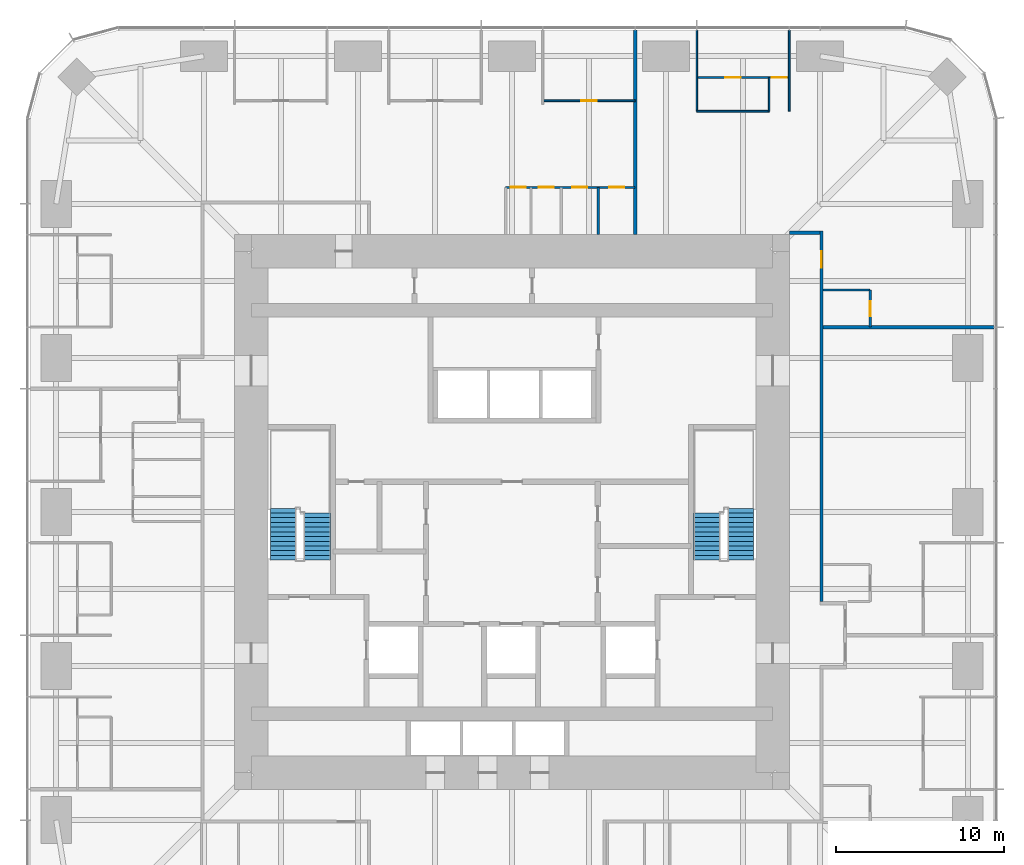
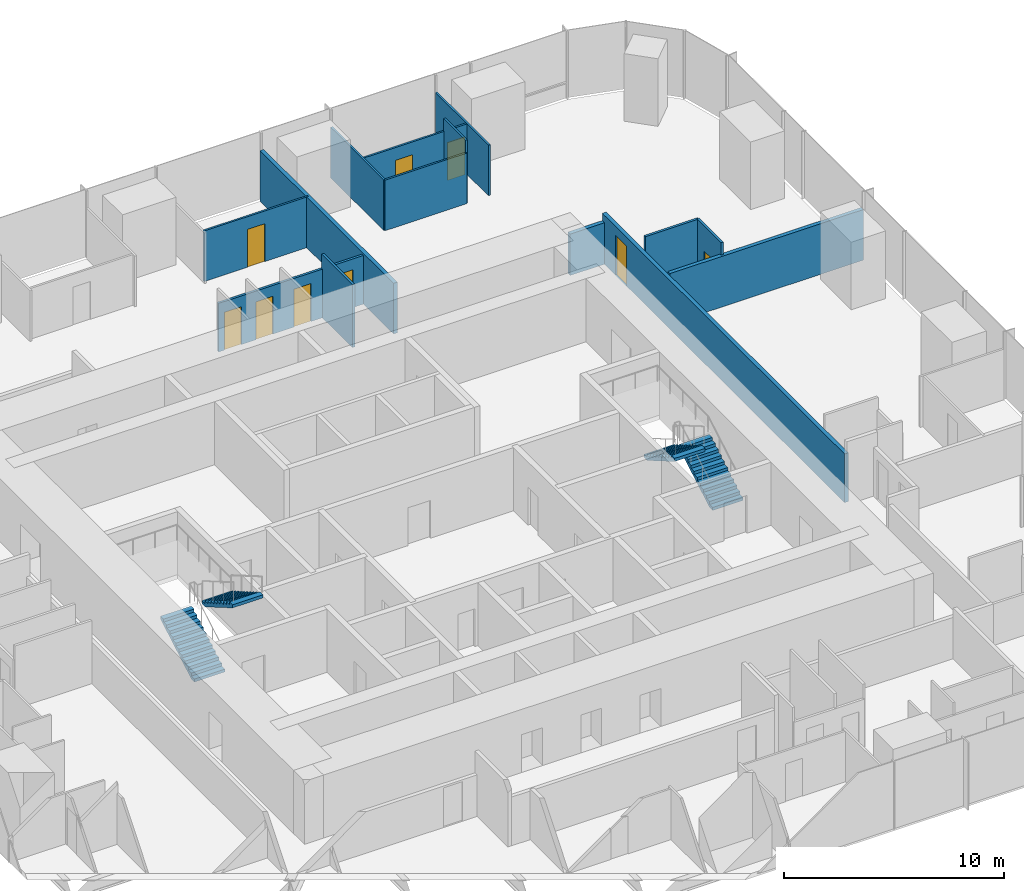
# One storey, part 12 of 13: 14 walls, 9 doors, 4 stair flights, 9 openings, 2 elements without a shape of their own.
"""IFC4 building model written with IfcOpenShell, lengths in metres."""

from ifc_helpers import new_model, si_unit, direction, frame, frame_2d, origin, place, context, subcontext, project, spatial, polyline, rectangle, outline, extrude, material, layer, layer_set, type_object, element, fill, aggregate, save


model = new_model("IFC4")

# Units and contexts
model_context = context("Model", 3, precision=1e-05, world=origin(), true_north=direction((0.0, 1.0)))
body_context = subcontext(model_context, "Body", "Model", "MODEL_VIEW")
ifc_project = project(units=[si_unit("LENGTHUNIT", "METRE"), si_unit("AREAUNIT", "SQUARE_METRE"), si_unit("VOLUMEUNIT", "CUBIC_METRE"), si_unit("PLANEANGLEUNIT", "RADIAN"), si_unit("MASSUNIT", "GRAM", prefix="KILO")], contexts=[model_context])

# Site, building, storey
site_placement = place(None, origin())
site = spatial("IfcSite", under=ifc_project, at=site_placement, CompositionType="ELEMENT")
building_placement = place(site_placement, origin())
building = spatial("IfcBuilding", under=site, at=building_placement, Name="Khuree Lantern Residences", CompositionType="ELEMENT")
storey_placement = place(building_placement, frame((0.0, 0.0, 148.5)))
storey = spatial("IfcBuildingStorey", under=building, at=storey_placement, Name="L37", CompositionType="ELEMENT", Elevation=148.5)

# Wall, opening, door
ifc_material_1 = material(Name="Moisture-resistant gypsum board on steel studs", Category="steel")
ifc_layer_1 = layer(ifc_material_1, 0.125)
ifc_layer_set_1 = layer_set([ifc_layer_1], Name="BATHROOM WALL BTW125")
wall_type_1 = type_object("IfcWallType", Name="BATHROOM WALL BTW125", PredefinedType="PARTITIONING", material=ifc_layer_set_1)
wall_1_placement = place(storey_placement, frame((21.300048828125, 10.991943359375, 0.0), z_axis=(0.0, 0.0, 1.0), x_axis=(0.0, 1.0, 0.0)))
wall_1 = element("IfcWall", 1, at=wall_1_placement, inside=storey, type_object=wall_type_1, Name="L37 BATHROOM WALL 02", PredefinedType="PARTITIONING", context=body_context, shape_type="SweptSolid", body=[
    extrude(rectangle(XDim=2.199951171875, YDim=0.125, at=frame_2d((1.10009765625, 0.0))), origin(), (0.0, 0.0, 1.0), 3.5),
])
opening_1_placement = place(wall_1_placement, frame((0.64990234375, 0.0, 0.0)))
opening_1 = element("IfcOpeningElement", 2, at=opening_1_placement, cuts=wall_1, Name="Opening 37-030", PredefinedType="OPENING", context=body_context, shape_type="SweptSolid", body=[
    extrude(rectangle(XDim=0.89990234375, YDim=2.10009765625, at=frame_2d((0.449951171875, 1.050048828125))), frame((0.0, 0.072509765625, 0.0), z_axis=(0.0, -1.0, 0.0), x_axis=(1.0, 0.0, 0.0)), (0.0, 0.0, 1.0), 0.14501953125),
])
ifc_material_2 = material(Name="Timber door leaf in hardwood frame", Category="wood")
door_type_1 = type_object("IfcDoorType", Name="BATHROOM DOOR 900X2100", OperationType="SINGLE_SWING_LEFT", PredefinedType="DOOR", material=ifc_material_2)
door_1_placement = place(opening_1_placement, origin())
door_1 = element("IfcDoor", 3, at=door_1_placement, inside=storey, type_object=door_type_1, Name="Bathroom door 37-030", OperationType="SINGLE_SWING_LEFT", OverallHeight=2.10009765625, OverallWidth=0.89990234375, PredefinedType="DOOR", context=body_context, shape_type="SweptSolid", body=[
    extrude(rectangle(XDim=0.89990234375, YDim=2.10009765625, at=frame_2d((0.449951171875, 1.050048828125))), frame((0.0, 0.02490234375, 0.0), z_axis=(0.0, -1.0, 0.0), x_axis=(1.0, 0.0, 0.0)), (0.0, 0.0, 1.0), 0.050048828125),
])
fill(opening_1, door_1)

# Wall
wall_2_placement = place(storey_placement, frame((18.5, 13.19189453125, 0.0), z_axis=(0.0, 0.0, 1.0), x_axis=(1.0, 0.0, 0.0)))
element("IfcWall", 4, at=wall_2_placement, inside=storey, type_object=wall_type_1, Name="L37 BATHROOM WALL 02", PredefinedType="PARTITIONING", context=body_context, shape_type="SweptSolid", body=[
    extrude(rectangle(XDim=2.800048828125, YDim=0.125, at=frame_2d((1.39990234375, 0.0))), origin(), (0.0, 0.0, 1.0), 3.5),
])

# Wall, openings, doors
wall_3_placement = place(storey_placement, frame((7.327880859375, 19.300048828125, 0.0), z_axis=(0.0, 0.0, 1.0), x_axis=(-1.0, 0.0, 0.0)))
wall_3 = element("IfcWall", 5, at=wall_3_placement, inside=storey, type_object=wall_type_1, Name="L37 BATHROOM WALL 03", PredefinedType="PARTITIONING", context=body_context, shape_type="SweptSolid", body=[
    extrude(rectangle(XDim=7.699951171875, YDim=0.125, at=frame_2d((3.85009765625, 0.0))), origin(), (0.0, 0.0, 1.0), 2.699951171875),
])
opening_2_placement = place(wall_3_placement, frame((0.64990234375, 0.0, 0.0)))
opening_2 = element("IfcOpeningElement", 6, at=opening_2_placement, cuts=wall_3, Name="Opening 37-037", PredefinedType="OPENING", context=body_context, shape_type="SweptSolid", body=[
    extrude(rectangle(XDim=0.89990234375, YDim=2.10009765625, at=frame_2d((0.449951171875, 1.050048828125))), frame((0.0, 0.072509765625, 0.0), z_axis=(0.0, -1.0, 0.0), x_axis=(1.0, 0.0, 0.0)), (0.0, 0.0, 1.0), 0.14501953125),
])
opening_3_placement = place(wall_3_placement, frame((2.85009765625, 0.0, 0.0)))
opening_3 = element("IfcOpeningElement", 7, at=opening_3_placement, cuts=wall_3, Name="Opening 37-038", PredefinedType="OPENING", context=body_context, shape_type="SweptSolid", body=[
    extrude(rectangle(XDim=0.89990234375, YDim=2.10009765625, at=frame_2d((0.449951171875, 1.050048828125))), frame((0.0, 0.072509765625, 0.0), z_axis=(0.0, -1.0, 0.0), x_axis=(1.0, 0.0, 0.0)), (0.0, 0.0, 1.0), 0.14501953125),
])
opening_4_placement = place(wall_3_placement, frame((4.85009765625, 0.0, 0.0)))
opening_4 = element("IfcOpeningElement", 8, at=opening_4_placement, cuts=wall_3, Name="Opening 37-039", PredefinedType="OPENING", context=body_context, shape_type="SweptSolid", body=[
    extrude(rectangle(XDim=0.89990234375, YDim=2.10009765625, at=frame_2d((0.449951171875, 1.050048828125))), frame((0.0, 0.072509765625, 0.0), z_axis=(0.0, -1.0, 0.0), x_axis=(1.0, 0.0, 0.0)), (0.0, 0.0, 1.0), 0.14501953125),
])
opening_5_placement = place(wall_3_placement, frame((6.5, 0.0, 0.0)))
opening_5 = element("IfcOpeningElement", 9, at=opening_5_placement, cuts=wall_3, Name="Opening 37-040", PredefinedType="OPENING", context=body_context, shape_type="SweptSolid", body=[
    extrude(rectangle(XDim=0.89990234375, YDim=2.10009765625, at=frame_2d((0.449951171875, 1.050048828125))), frame((0.0, 0.072509765625, 0.0), z_axis=(0.0, -1.0, 0.0), x_axis=(1.0, 0.0, 0.0)), (0.0, 0.0, 1.0), 0.14501953125),
])
door_2_placement = place(opening_2_placement, origin())
door_2 = element("IfcDoor", 10, at=door_2_placement, inside=storey, type_object=door_type_1, Name="Bathroom door 37-037", OperationType="SINGLE_SWING_LEFT", OverallHeight=2.10009765625, OverallWidth=0.89990234375, PredefinedType="DOOR", context=body_context, shape_type="SweptSolid", body=[
    extrude(rectangle(XDim=0.89990234375, YDim=2.10009765625, at=frame_2d((0.449951171875, 1.050048828125))), frame((0.0, 0.02490234375, 0.0), z_axis=(0.0, -1.0, 0.0), x_axis=(1.0, 0.0, 0.0)), (0.0, 0.0, 1.0), 0.050048828125),
])
fill(opening_2, door_2)
door_3_placement = place(opening_3_placement, origin())
door_3 = element("IfcDoor", 11, at=door_3_placement, inside=storey, type_object=door_type_1, Name="Bathroom door 37-038", OperationType="SINGLE_SWING_LEFT", OverallHeight=2.10009765625, OverallWidth=0.89990234375, PredefinedType="DOOR", context=body_context, shape_type="SweptSolid", body=[
    extrude(rectangle(XDim=0.89990234375, YDim=2.10009765625, at=frame_2d((0.449951171875, 1.050048828125))), frame((0.0, 0.02490234375, 0.0), z_axis=(0.0, -1.0, 0.0), x_axis=(1.0, 0.0, 0.0)), (0.0, 0.0, 1.0), 0.050048828125),
])
fill(opening_3, door_3)
door_type_2 = type_object("IfcDoorType", Name="DOOR 900X2100", OperationType="SINGLE_SWING_LEFT", PredefinedType="DOOR", material=ifc_material_2)
door_4_placement = place(opening_4_placement, origin())
door_4 = element("IfcDoor", 12, at=door_4_placement, inside=storey, type_object=door_type_2, Name="Store door 37-039", OperationType="SINGLE_SWING_LEFT", OverallHeight=2.10009765625, OverallWidth=0.89990234375, PredefinedType="DOOR", context=body_context, shape_type="SweptSolid", body=[
    extrude(rectangle(XDim=0.89990234375, YDim=2.10009765625, at=frame_2d((0.449951171875, 1.050048828125))), frame((0.0, 0.02490234375, 0.0), z_axis=(0.0, -1.0, 0.0), x_axis=(1.0, 0.0, 0.0)), (0.0, 0.0, 1.0), 0.050048828125),
])
fill(opening_4, door_4)
door_type_3 = type_object("IfcDoorType", Name="WC DOOR 900X2100", OperationType="SINGLE_SWING_LEFT", PredefinedType="DOOR", material=ifc_material_2)
door_5_placement = place(opening_5_placement, origin())
door_5 = element("IfcDoor", 13, at=door_5_placement, inside=storey, type_object=door_type_3, Name="WC door 37-040", OperationType="SINGLE_SWING_LEFT", OverallHeight=2.10009765625, OverallWidth=0.89990234375, PredefinedType="DOOR", context=body_context, shape_type="SweptSolid", body=[
    extrude(rectangle(XDim=0.89990234375, YDim=2.10009765625, at=frame_2d((0.449951171875, 1.050048828125))), frame((0.0, 0.02490234375, 0.0), z_axis=(0.0, -1.0, 0.0), x_axis=(1.0, 0.0, 0.0)), (0.0, 0.0, 1.0), 0.050048828125),
])
fill(opening_5, door_5)

# Walls
wall_4_placement = place(storey_placement, frame((5.1279296875, 16.5, 0.0), z_axis=(0.0, 0.0, 1.0), x_axis=(0.0, 1.0, 0.0)))
element("IfcWall", 14, at=wall_4_placement, inside=storey, type_object=wall_type_1, Name="L37 BATHROOM WALL 03", PredefinedType="PARTITIONING", context=body_context, shape_type="SweptSolid", body=[
    extrude(rectangle(XDim=2.800048828125, YDim=0.125, at=frame_2d((1.39990234375, 0.0))), origin(), (0.0, 0.0, 1.0), 3.5),
])
ifc_material_3 = material(Name="Gypsum board on steel studs", Category="steel")
ifc_layer_2 = layer(ifc_material_3, 0.199951171875)
ifc_layer_set_2 = layer_set([ifc_layer_2], Name="CORRIDOR WALL CRW200 EI 60")
wall_type_2 = type_object("IfcWallType", Name="CORRIDOR WALL CRW200 EI 60", PredefinedType="PARTITIONING", material=ifc_layer_set_2)
wall_5_placement = place(storey_placement, frame((16.5, 16.60009765625, 0.0), z_axis=(0.0, 0.0, 1.0), x_axis=(1.0, 0.0, 0.0)))
element("IfcWall", 15, at=wall_5_placement, inside=storey, type_object=wall_type_2, Name="L37 EAST CORRIDOR NORTH END WALL", PredefinedType="PARTITIONING", context=body_context, shape_type="SweptSolid", body=[
    extrude(rectangle(XDim=1.800048828125, YDim=0.199951171875, at=frame_2d((0.89990234375, 0.0))), origin(), (0.0, 0.0, 1.0), 2.300048828125),
])

# Wall, opening, door
wall_6_placement = place(storey_placement, frame((18.39990234375, -5.327880859375, 0.0), z_axis=(0.0, 0.0, 1.0), x_axis=(0.0, 1.0, 0.0)))
wall_6 = element("IfcWall", 16, at=wall_6_placement, inside=storey, type_object=wall_type_2, Name="L37 CORRIDOR WALL EAST 2", PredefinedType="PARTITIONING", context=body_context, shape_type="SweptSolid", body=[
    extrude(rectangle(XDim=22.02783203125, YDim=0.199951171875, at=frame_2d((11.013916015625, 0.0))), origin(), (0.0, 0.0, 1.0), 2.699951171875),
])
opening_6_placement = place(wall_6_placement, frame((19.840087890625, 0.0, 0.0)))
opening_6 = element("IfcOpeningElement", 17, at=opening_6_placement, cuts=wall_6, Name="Opening 37-031", PredefinedType="OPENING", context=body_context, shape_type="SweptSolid", body=[
    extrude(rectangle(XDim=1.0, YDim=2.199951171875, at=frame_2d((0.5, 1.10009765625))), frame((0.0, 0.10986328125, 0.0), z_axis=(0.0, -1.0, 0.0), x_axis=(1.0, 0.0, 0.0)), (0.0, 0.0, 1.0), 0.219970703125),
])
door_type_4 = type_object("IfcDoorType", Name="APARTMENT ENTRANCE DOOR 1000X2200 EI 30S RIGHT HAND", OperationType="SINGLE_SWING_RIGHT", PredefinedType="DOOR", material=ifc_material_2)
door_6_placement = place(opening_6_placement, origin())
door_6 = element("IfcDoor", 18, at=door_6_placement, inside=storey, type_object=door_type_4, Name="Apartment 02 entrance door 37-031", OperationType="SINGLE_SWING_RIGHT", OverallHeight=2.199951171875, OverallWidth=1.0, PredefinedType="DOOR", context=body_context, shape_type="SweptSolid", body=[
    extrude(rectangle(XDim=1.0, YDim=2.199951171875, at=frame_2d((0.5, 1.10009765625))), frame((0.0, 0.02490234375, 0.0), z_axis=(0.0, -1.0, 0.0), x_axis=(1.0, 0.0, 0.0)), (0.0, 0.0, 1.0), 0.050048828125),
])
fill(opening_6, door_6)

# Walls
ifc_layer_3 = layer(ifc_material_3, 0.199951171875)
ifc_layer_set_3 = layer_set([ifc_layer_3], Name="DEMISING WALL DMW200 EI 90")
wall_type_3 = type_object("IfcWallType", Name="DEMISING WALL DMW200 EI 90", PredefinedType="PARTITIONING", material=ifc_layer_set_3)
wall_7_placement = place(storey_placement, frame((18.5, 10.991943359375, 0.0), z_axis=(0.0, 0.0, 1.0), x_axis=(1.0, 0.0, 0.0)))
element("IfcWall", 19, at=wall_7_placement, inside=storey, type_object=wall_type_3, Name="L37 DEMISING WALL 02", PredefinedType="PARTITIONING", context=body_context, shape_type="SweptSolid", body=[
    extrude(rectangle(XDim=10.14990234375, YDim=0.199951171875, at=frame_2d((5.074951171875, 0.0))), origin(), (0.0, 0.0, 1.0), 2.81005859375),
])
wall_8_placement = place(storey_placement, frame((7.327880859375, 16.5, 0.0), z_axis=(0.0, 0.0, 1.0), x_axis=(0.0, 1.0, 0.0)))
element("IfcWall", 20, at=wall_8_placement, inside=storey, type_object=wall_type_3, Name="L37 DEMISING WALL 03", PredefinedType="PARTITIONING", context=body_context, shape_type="SweptSolid", body=[
    extrude(rectangle(XDim=12.14990234375, YDim=0.199951171875, at=frame_2d((6.074951171875, 0.0))), origin(), (0.0, 0.0, 1.0), 2.81005859375),
])
ifc_layer_4 = layer(ifc_material_3, 0.10009765625)
ifc_layer_set_4 = layer_set([ifc_layer_4], Name="PARTITION PT100")
wall_type_4 = type_object("IfcWallType", Name="PARTITION PT100", PredefinedType="PARTITIONING", material=ifc_layer_set_4)
for number, where, z_axis, x_axis, name in (
    (21, (16.488037109375, 23.829833984375, 0.0), (0.0, 0.0, 1.0), (0.0, 1.0, 0.0), "L37 PARTITION 02"),
    (22, (10.991943359375, 23.829833984375, 0.0), (0.0, 0.0, 1.0), (0.0, 1.0, 0.0), "L37 PARTITION 02"),
):
    element("IfcWall", number, at=place(storey_placement, frame(where, z_axis=z_axis, x_axis=x_axis)), inside=storey, type_object=wall_type_4, Name=name, PredefinedType="PARTITIONING", context=body_context, shape_type="SweptSolid", body=[
        extrude(rectangle(XDim=4.820068359375, YDim=0.10009765625, at=frame_2d((2.41015625, 0.0))), origin(), (0.0, 0.0, 1.0), 2.81005859375),
    ])

# Wall, openings, doors
wall_9_placement = place(storey_placement, frame((16.488037109375, 25.829833984375, 0.0), z_axis=(0.0, 0.0, 1.0), x_axis=(-1.0, 0.0, 0.0)))
wall_9 = element("IfcWall", 23, at=wall_9_placement, inside=storey, type_object=wall_type_4, Name="L37 PARTITION 02", PredefinedType="PARTITIONING", context=body_context, shape_type="SweptSolid", body=[
    extrude(rectangle(XDim=5.49609375, YDim=0.10009765625, at=frame_2d((2.748046875, 0.0))), origin(), (0.0, 0.0, 1.0), 2.81005859375),
])
opening_7_placement = place(wall_9_placement, frame((0.14990234375, 0.0, 0.0)))
opening_7 = element("IfcOpeningElement", 24, at=opening_7_placement, cuts=wall_9, Name="Opening 37-028", PredefinedType="OPENING", context=body_context, shape_type="SweptSolid", body=[
    extrude(rectangle(XDim=0.89990234375, YDim=2.10009765625, at=frame_2d((0.449951171875, 1.050048828125))), frame((0.0, 0.06005859375, 0.0), z_axis=(0.0, -1.0, 0.0), x_axis=(1.0, 0.0, 0.0)), (0.0, 0.0, 1.0), 0.1201171875),
])
opening_8_placement = place(wall_9_placement, frame((2.89794921875, 0.0, 0.0)))
opening_8 = element("IfcOpeningElement", 25, at=opening_8_placement, cuts=wall_9, Name="Opening 37-029", PredefinedType="OPENING", context=body_context, shape_type="SweptSolid", body=[
    extrude(rectangle(XDim=0.89990234375, YDim=2.10009765625, at=frame_2d((0.449951171875, 1.050048828125))), frame((0.0, 0.06005859375, 0.0), z_axis=(0.0, -1.0, 0.0), x_axis=(1.0, 0.0, 0.0)), (0.0, 0.0, 1.0), 0.1201171875),
])
door_type_5 = type_object("IfcDoorType", Name="BEDROOM DOOR 900X2100", OperationType="SINGLE_SWING_LEFT", PredefinedType="DOOR", material=ifc_material_2)
door_7_placement = place(opening_7_placement, origin())
door_7 = element("IfcDoor", 26, at=door_7_placement, inside=storey, type_object=door_type_5, Name="Bedroom door 37-028", OperationType="SINGLE_SWING_LEFT", OverallHeight=2.10009765625, OverallWidth=0.89990234375, PredefinedType="DOOR", context=body_context, shape_type="SweptSolid", body=[
    extrude(rectangle(XDim=0.89990234375, YDim=2.10009765625, at=frame_2d((0.449951171875, 1.050048828125))), frame((0.0, 0.02490234375, 0.0), z_axis=(0.0, -1.0, 0.0), x_axis=(1.0, 0.0, 0.0)), (0.0, 0.0, 1.0), 0.050048828125),
])
fill(opening_7, door_7)
door_8_placement = place(opening_8_placement, origin())
door_8 = element("IfcDoor", 27, at=door_8_placement, inside=storey, type_object=door_type_2, Name="Wardrobe door 37-029", OperationType="SINGLE_SWING_LEFT", OverallHeight=2.10009765625, OverallWidth=0.89990234375, PredefinedType="DOOR", context=body_context, shape_type="SweptSolid", body=[
    extrude(rectangle(XDim=0.89990234375, YDim=2.10009765625, at=frame_2d((0.449951171875, 1.050048828125))), frame((0.0, 0.02490234375, 0.0), z_axis=(0.0, -1.0, 0.0), x_axis=(1.0, 0.0, 0.0)), (0.0, 0.0, 1.0), 0.050048828125),
])
fill(opening_8, door_8)

# Walls
wall_10_placement = place(storey_placement, frame((15.2880859375, 23.829833984375, 0.0), z_axis=(0.0, 0.0, 1.0), x_axis=(0.0, 1.0, 0.0)))
element("IfcWall", 28, at=wall_10_placement, inside=storey, type_object=wall_type_4, Name="L37 PARTITION 02", PredefinedType="PARTITIONING", context=body_context, shape_type="SweptSolid", body=[
    extrude(rectangle(XDim=2.0, YDim=0.10009765625, at=frame_2d((1.0, 0.0))), origin(), (0.0, 0.0, 1.0), 3.5),
])
wall_11_placement = place(storey_placement, frame((15.2880859375, 23.829833984375, 0.0), z_axis=(0.0, 0.0, 1.0), x_axis=(-1.0, 0.0, 0.0)))
element("IfcWall", 29, at=wall_11_placement, inside=storey, type_object=wall_type_4, Name="L37 PARTITION 02", PredefinedType="PARTITIONING", context=body_context, shape_type="SweptSolid", body=[
    extrude(rectangle(XDim=4.296142578125, YDim=0.10009765625, at=frame_2d((2.14794921875, 0.0))), origin(), (0.0, 0.0, 1.0), 2.81005859375),
])

# Wall, opening, door
wall_12_placement = place(storey_placement, frame((7.327880859375, 24.449951171875, 0.0), z_axis=(0.0, 0.0, 1.0), x_axis=(-1.0, 0.0, 0.0)))
wall_12 = element("IfcWall", 30, at=wall_12_placement, inside=storey, type_object=wall_type_4, Name="L37 PARTITION 03", PredefinedType="PARTITIONING", context=body_context, shape_type="SweptSolid", body=[
    extrude(rectangle(XDim=5.495849609375, YDim=0.10009765625, at=frame_2d((2.748046875, 0.0))), origin(), (0.0, 0.0, 1.0), 2.81005859375),
])
opening_9_placement = place(wall_12_placement, frame((2.298095703125, 0.0, 0.0)))
opening_9 = element("IfcOpeningElement", 31, at=opening_9_placement, cuts=wall_12, Name="Opening 37-032", PredefinedType="OPENING", context=body_context, shape_type="SweptSolid", body=[
    extrude(rectangle(XDim=0.89990234375, YDim=2.10009765625, at=frame_2d((0.449951171875, 1.050048828125))), frame((0.0, 0.06005859375, 0.0), z_axis=(0.0, -1.0, 0.0), x_axis=(1.0, 0.0, 0.0)), (0.0, 0.0, 1.0), 0.1201171875),
])
door_9_placement = place(opening_9_placement, origin())
door_9 = element("IfcDoor", 32, at=door_9_placement, inside=storey, type_object=door_type_5, Name="Bedroom door 37-032", OperationType="SINGLE_SWING_LEFT", OverallHeight=2.10009765625, OverallWidth=0.89990234375, PredefinedType="DOOR", context=body_context, shape_type="SweptSolid", body=[
    extrude(rectangle(XDim=0.89990234375, YDim=2.10009765625, at=frame_2d((0.449951171875, 1.050048828125))), frame((0.0, 0.02490234375, 0.0), z_axis=(0.0, -1.0, 0.0), x_axis=(1.0, 0.0, 0.0)), (0.0, 0.0, 1.0), 0.050048828125),
])
fill(opening_9, door_9)

# Stair, stair flights
ifc_material_4 = material(Name="Concrete C40/50", Category="concrete")
stair_type = type_object("IfcStairType", Name="STAIR ST1 HALF TURN 3600", PredefinedType="HALF_TURN_STAIR", material=ifc_material_4)
stair_1_placement = place(storey_placement, origin())
stair_1 = element("IfcStair", 33, at=stair_1_placement, inside=storey, type_object=stair_type, Name="Stair ST1", PredefinedType="HALF_TURN_STAIR")
stair_flight_type = type_object("IfcStairFlightType", Name="STAIR FLIGHT SF1 1600", PredefinedType="STRAIGHT", material=ifc_material_4)
stair_flight_1_placement = place(storey_placement, frame((-13.60009765625, -2.860107421875, 0.0), z_axis=(0.0, 0.0, 1.0), x_axis=(0.0, 1.0, 0.0)))
stair_flight_1 = element("IfcStairFlight", 34, at=stair_flight_1_placement, type_object=stair_flight_type, Name="ST1 flight 1", NumberOfRisers=12, NumberOfTreads=11, PredefinedType="STRAIGHT", RiserHeight=0.163043478, TreadLength=0.28, context=body_context, shape_type="SweptSolid", body=[
    extrude(outline(polyline([(0.0, 0.0), (0.0, 0.1630859375), (0.280029296875, 0.1630859375), (0.280029296875, 0.326171875), (0.56005859375, 0.326171875), (0.56005859375, 0.489013671875), (0.840087890625, 0.489013671875), (0.840087890625, 0.652099609375), (1.1201171875, 0.652099609375), (1.1201171875, 0.815185546875), (1.39990234375, 0.815185546875), (1.39990234375, 0.978271484375), (1.679931640625, 0.978271484375), (1.679931640625, 1.141357421875), (1.9599609375, 1.141357421875), (1.9599609375, 1.304443359375), (2.239990234375, 1.304443359375), (2.239990234375, 1.46728515625), (2.52001953125, 1.46728515625), (2.52001953125, 1.63037109375), (2.800048828125, 1.63037109375), (2.800048828125, 1.79345703125), (3.080078125, 1.79345703125), (3.080078125, 1.95654296875), (3.080078125, 1.6201171875), (0.2978515625, 0.0), (0.0, 0.0)])), frame((0.0, 0.800048828125, 0.0), z_axis=(0.0, -1.0, 0.0), x_axis=(1.0, 0.0, 0.0)), (0.0, 0.0, 1.0), 1.60009765625),
])
stair_flight_2_placement = place(storey_placement, frame((-11.60009765625, -0.06005859375, 1.95654296875), z_axis=(0.0, 0.0, 1.0), x_axis=(0.0, -1.0, 0.0)))
stair_flight_2 = element("IfcStairFlight", 35, at=stair_flight_2_placement, type_object=stair_flight_type, Name="ST1 flight 2", NumberOfRisers=11, NumberOfTreads=10, PredefinedType="STRAIGHT", RiserHeight=0.163043478, TreadLength=0.28, context=body_context, shape_type="SweptSolid", body=[
    extrude(outline(polyline([(0.0, 0.0), (0.0, 0.1630859375), (0.280029296875, 0.1630859375), (0.280029296875, 0.326171875), (0.56005859375, 0.326171875), (0.56005859375, 0.489013671875), (0.840087890625, 0.489013671875), (0.840087890625, 0.652099609375), (1.1201171875, 0.652099609375), (1.1201171875, 0.815185546875), (1.39990234375, 0.815185546875), (1.39990234375, 0.978271484375), (1.679931640625, 0.978271484375), (1.679931640625, 1.141357421875), (1.9599609375, 1.141357421875), (1.9599609375, 1.304443359375), (2.239990234375, 1.304443359375), (2.239990234375, 1.46728515625), (2.52001953125, 1.46728515625), (2.52001953125, 1.63037109375), (2.800048828125, 1.63037109375), (2.800048828125, 1.79345703125), (2.800048828125, 1.45703125), (0.2978515625, 0.0), (0.0, 0.0)])), frame((0.0, 0.800048828125, 0.0), z_axis=(0.0, -1.0, 0.0), x_axis=(1.0, 0.0, 0.0)), (0.0, 0.0, 1.0), 1.60009765625),
])
aggregate(stair_1, [stair_flight_1, stair_flight_2])

stair_2_placement = place(storey_placement, origin())
stair_2 = element("IfcStair", 36, at=stair_2_placement, inside=storey, type_object=stair_type, Name="Stair ST2", PredefinedType="HALF_TURN_STAIR")
stair_flight_3_placement = place(storey_placement, frame((13.60009765625, -2.860107421875, 0.0), z_axis=(0.0, 0.0, 1.0), x_axis=(0.0, 1.0, 0.0)))
stair_flight_3 = element("IfcStairFlight", 37, at=stair_flight_3_placement, type_object=stair_flight_type, Name="ST2 flight 1", NumberOfRisers=12, NumberOfTreads=11, PredefinedType="STRAIGHT", RiserHeight=0.163043478, TreadLength=0.28, context=body_context, shape_type="SweptSolid", body=[
    extrude(outline(polyline([(0.0, 0.0), (0.0, 0.1630859375), (0.280029296875, 0.1630859375), (0.280029296875, 0.326171875), (0.56005859375, 0.326171875), (0.56005859375, 0.489013671875), (0.840087890625, 0.489013671875), (0.840087890625, 0.652099609375), (1.1201171875, 0.652099609375), (1.1201171875, 0.815185546875), (1.39990234375, 0.815185546875), (1.39990234375, 0.978271484375), (1.679931640625, 0.978271484375), (1.679931640625, 1.141357421875), (1.9599609375, 1.141357421875), (1.9599609375, 1.304443359375), (2.239990234375, 1.304443359375), (2.239990234375, 1.46728515625), (2.52001953125, 1.46728515625), (2.52001953125, 1.63037109375), (2.800048828125, 1.63037109375), (2.800048828125, 1.79345703125), (3.080078125, 1.79345703125), (3.080078125, 1.95654296875), (3.080078125, 1.6201171875), (0.2978515625, 0.0), (0.0, 0.0)])), frame((0.0, 0.800048828125, 0.0), z_axis=(0.0, -1.0, 0.0), x_axis=(1.0, 0.0, 0.0)), (0.0, 0.0, 1.0), 1.60009765625),
])
stair_flight_4_placement = place(storey_placement, frame((11.60009765625, -0.06005859375, 1.95654296875), z_axis=(0.0, 0.0, 1.0), x_axis=(0.0, -1.0, 0.0)))
stair_flight_4 = element("IfcStairFlight", 38, at=stair_flight_4_placement, type_object=stair_flight_type, Name="ST2 flight 2", NumberOfRisers=11, NumberOfTreads=10, PredefinedType="STRAIGHT", RiserHeight=0.163043478, TreadLength=0.28, context=body_context, shape_type="SweptSolid", body=[
    extrude(outline(polyline([(0.0, 0.0), (0.0, 0.1630859375), (0.280029296875, 0.1630859375), (0.280029296875, 0.326171875), (0.56005859375, 0.326171875), (0.56005859375, 0.489013671875), (0.840087890625, 0.489013671875), (0.840087890625, 0.652099609375), (1.1201171875, 0.652099609375), (1.1201171875, 0.815185546875), (1.39990234375, 0.815185546875), (1.39990234375, 0.978271484375), (1.679931640625, 0.978271484375), (1.679931640625, 1.141357421875), (1.9599609375, 1.141357421875), (1.9599609375, 1.304443359375), (2.239990234375, 1.304443359375), (2.239990234375, 1.46728515625), (2.52001953125, 1.46728515625), (2.52001953125, 1.63037109375), (2.800048828125, 1.63037109375), (2.800048828125, 1.79345703125), (2.800048828125, 1.45703125), (0.2978515625, 0.0), (0.0, 0.0)])), frame((0.0, 0.800048828125, 0.0), z_axis=(0.0, -1.0, 0.0), x_axis=(1.0, 0.0, 0.0)), (0.0, 0.0, 1.0), 1.60009765625),
])
aggregate(stair_2, [stair_flight_3, stair_flight_4])

save(model, "model.ifc")
